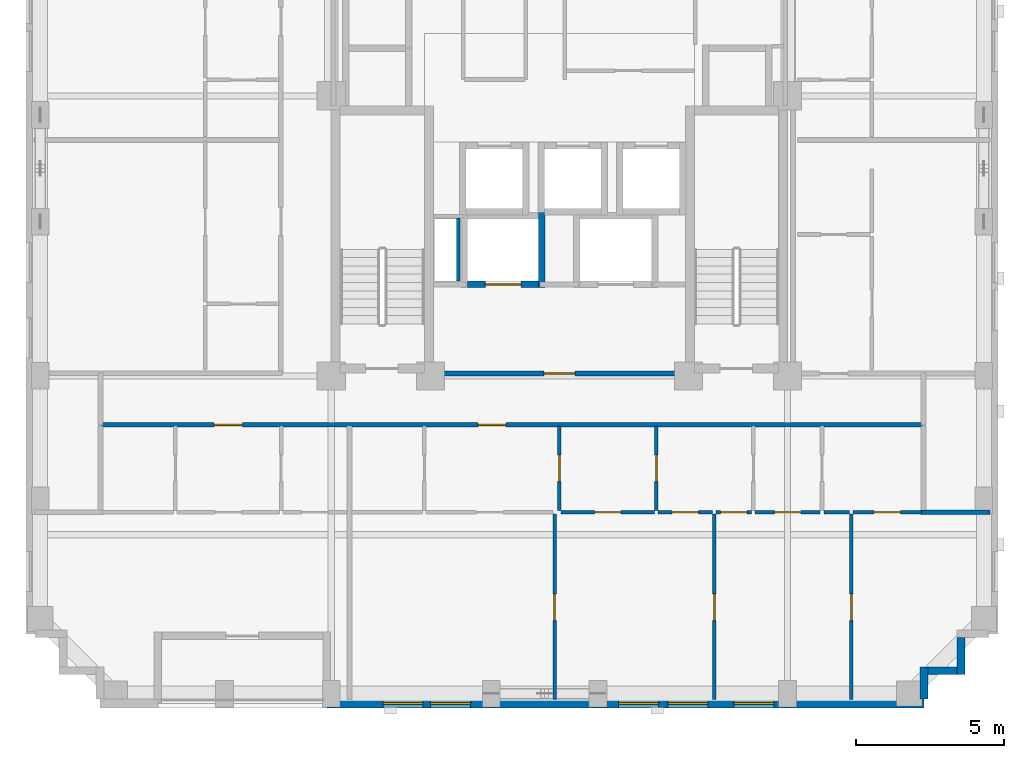
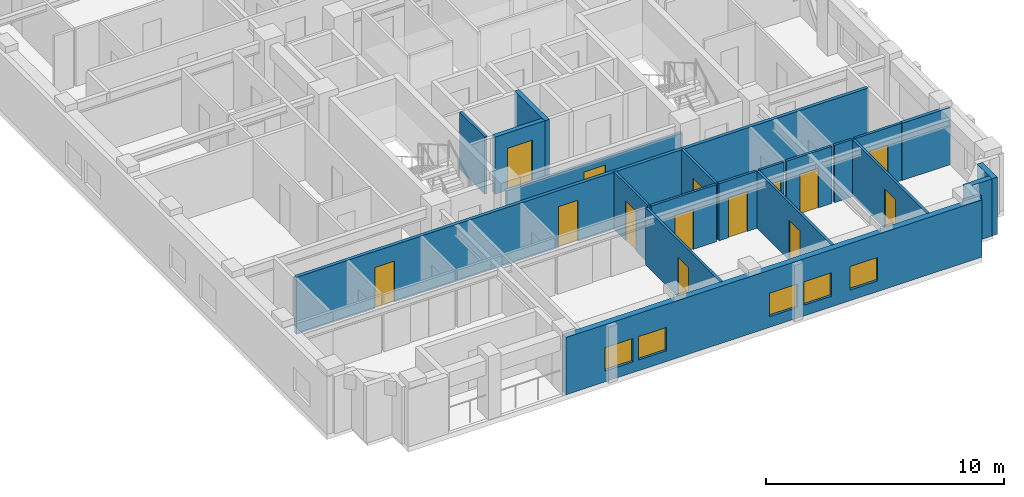
# One storey, part 3 of 11: 21 walls, 14 doors, 5 windows, 19 openings.
"""IFC4 building model written with IfcOpenShell, lengths in metres."""

from ifc_helpers import new_model, si_unit, derived_unit, direction, frame, frame_2d, origin, place, context, subcontext, project, spatial, rectangle, extrude, material, layer, layer_set, type_object, element, fill, save


model = new_model("IFC4")

# Units and contexts
model_context = context("Model", 3, precision=1e-05, world=origin(), true_north=direction((0.0, 1.0)))
body_context = subcontext(model_context, "Body", "Model", "MODEL_VIEW")
ifc_project = project(units=[si_unit("LENGTHUNIT", "METRE"), si_unit("AREAUNIT", "SQUARE_METRE"), si_unit("VOLUMEUNIT", "CUBIC_METRE"), si_unit("PLANEANGLEUNIT", "RADIAN"), si_unit("MASSUNIT", "GRAM", prefix="KILO"), derived_unit("THERMALTRANSMITTANCEUNIT", [(si_unit("MASSUNIT", "GRAM", prefix="KILO"), 1), (si_unit("TIMEUNIT", "SECOND"), -3), (si_unit("THERMODYNAMICTEMPERATUREUNIT", "KELVIN"), -1)])], contexts=[model_context])

# Site, building, storey
site_placement = place(None, origin())
site = spatial("IfcSite", under=ifc_project, at=site_placement, CompositionType="ELEMENT")
building_placement = place(site_placement, origin())
building = spatial("IfcBuilding", under=site, at=building_placement, Name="Korrvale Station Residences", CompositionType="ELEMENT")
storey_placement = place(building_placement, frame((0.0, 0.0, 166.64990234375)))
storey = spatial("IfcBuildingStorey", under=building, at=storey_placement, Name="L48", CompositionType="ELEMENT", Elevation=166.64990234375)

# Walls
ifc_material_1 = material(Name="Precast concrete C45/55", Category="concrete")
ifc_layer_1 = layer(ifc_material_1, 0.260009765625, Name="Precast concrete C45/55")
ifc_layer_set_1 = layer_set([ifc_layer_1], Name="Precast concrete C45/55")
wall_type_1 = type_object("IfcWallType", Name="WAL-EXT-LOG260", PredefinedType="SOLIDWALL", material=ifc_layer_set_1)
wall_1_placement = place(storey_placement, frame((39.050048828125, 6.16796875, 0.0), z_axis=(0.0, 0.0, 1.0), x_axis=(0.0, -1.0, 0.0)))
element("IfcWall", 1, at=wall_1_placement, inside=storey, type_object=wall_type_1, Name="L48 Serrated Corner Precast Step SE-2", PredefinedType="SOLIDWALL", context=body_context, shape_type="SweptSolid", body=[
    extrude(rectangle(XDim=1.248046875, YDim=0.260009765625, at=frame_2d((0.6240234375, 0.0))), origin(), (0.0, 0.0, 1.0), 2.93017578125),
])
wall_2_placement = place(storey_placement, frame((38.91796875, 5.050048828125, 0.0), z_axis=(0.0, 0.0, 1.0), x_axis=(-1.0, 0.0, 0.0)))
element("IfcWall", 2, at=wall_2_placement, inside=storey, type_object=wall_type_1, Name="L48 Serrated Corner Precast Step SE-3", PredefinedType="SOLIDWALL", context=body_context, shape_type="SweptSolid", body=[
    extrude(rectangle(XDim=0.986083984375, YDim=0.260009765625, at=frame_2d((0.4931640625, 0.0))), origin(), (0.0, 0.0, 1.0), 2.93017578125),
])
wall_3_placement = place(storey_placement, frame((37.800048828125, 5.179931640625, 0.0), z_axis=(0.0, 0.0, 1.0), x_axis=(0.0, -1.0, 0.0)))
element("IfcWall", 3, at=wall_3_placement, inside=storey, type_object=wall_type_1, Name="L48 Serrated Corner Precast Step SE-4", PredefinedType="SOLIDWALL", context=body_context, shape_type="SweptSolid", body=[
    extrude(rectangle(XDim=1.077880859375, YDim=0.260009765625, at=frame_2d((0.5390625, 0.0))), origin(), (0.0, 0.0, 1.0), 2.93017578125),
])

# Wall, openings, windows
ifc_layer_2 = layer(ifc_material_1, 0.300048828125, Name="Precast concrete C45/55")
ifc_layer_set_2 = layer_set([ifc_layer_2], Name="Precast concrete C45/55")
wall_type_2 = type_object("IfcWallType", Name="WAL-EXT-PC300", PredefinedType="SOLIDWALL", material=ifc_layer_set_2)
wall_4_placement = place(storey_placement, frame((37.800048828125, 3.949951171875, 0.0), z_axis=(0.0, 0.0, 1.0), x_axis=(-1.0, 0.0, 0.0)))
wall_4 = element("IfcWall", 4, at=wall_4_placement, inside=storey, type_object=wall_type_2, Name="L48 South Exterior Precast Wall 1", PredefinedType="SOLIDWALL", context=body_context, shape_type="SweptSolid", body=[
    extrude(rectangle(XDim=20.150146484375, YDim=0.300048828125, at=frame_2d((10.0751953125, 0.0))), origin(), (0.0, 0.0, 1.0), 2.93017578125),
])
opening_1_placement = place(wall_4_placement, frame((15.300048828125, 0.0, 0.550048828125)))
opening_1 = element("IfcOpeningElement", 5, at=opening_1_placement, cuts=wall_4, Name="Opening W-10", PredefinedType="OPENING", context=body_context, shape_type="SweptSolid", body=[
    extrude(rectangle(XDim=1.35009765625, YDim=1.199951171875, at=frame_2d((0.675048828125, 0.60009765625))), frame((0.0, 0.16015625, 0.0), z_axis=(0.0, -1.0, 0.0), x_axis=(1.0, 0.0, 0.0)), (0.0, 0.0, 1.0), 0.320068359375),
])
opening_2_placement = place(wall_4_placement, frame((16.909912109375, 0.0, 0.550048828125)))
opening_2 = element("IfcOpeningElement", 6, at=opening_2_placement, cuts=wall_4, Name="Opening W-10", PredefinedType="OPENING", context=body_context, shape_type="SweptSolid", body=[
    extrude(rectangle(XDim=1.35009765625, YDim=1.199951171875, at=frame_2d((0.675048828125, 0.60009765625))), frame((0.0, 0.16015625, 0.0), z_axis=(0.0, -1.0, 0.0), x_axis=(1.0, 0.0, 0.0)), (0.0, 0.0, 1.0), 0.320068359375),
])
opening_3_placement = place(wall_4_placement, frame((8.949951171875, 0.0, 0.550048828125)))
opening_3 = element("IfcOpeningElement", 7, at=opening_3_placement, cuts=wall_4, Name="Opening W-10", PredefinedType="OPENING", context=body_context, shape_type="SweptSolid", body=[
    extrude(rectangle(XDim=1.35009765625, YDim=1.199951171875, at=frame_2d((0.675048828125, 0.60009765625))), frame((0.0, 0.16015625, 0.0), z_axis=(0.0, -1.0, 0.0), x_axis=(1.0, 0.0, 0.0)), (0.0, 0.0, 1.0), 0.320068359375),
])
opening_4_placement = place(wall_4_placement, frame((7.2900390625, 0.0, 0.550048828125)))
opening_4 = element("IfcOpeningElement", 8, at=opening_4_placement, cuts=wall_4, Name="Opening W-10", PredefinedType="OPENING", context=body_context, shape_type="SweptSolid", body=[
    extrude(rectangle(XDim=1.35009765625, YDim=1.199951171875, at=frame_2d((0.675048828125, 0.60009765625))), frame((0.0, 0.16015625, 0.0), z_axis=(0.0, -1.0, 0.0), x_axis=(1.0, 0.0, 0.0)), (0.0, 0.0, 1.0), 0.320068359375),
])
opening_5_placement = place(wall_4_placement, frame((5.06005859375, 0.0, 0.550048828125)))
opening_5 = element("IfcOpeningElement", 9, at=opening_5_placement, cuts=wall_4, Name="Opening W-10", PredefinedType="OPENING", context=body_context, shape_type="SweptSolid", body=[
    extrude(rectangle(XDim=1.35009765625, YDim=1.199951171875, at=frame_2d((0.675048828125, 0.60009765625))), frame((0.0, 0.16015625, 0.0), z_axis=(0.0, -1.0, 0.0), x_axis=(1.0, 0.0, 0.0)), (0.0, 0.0, 1.0), 0.320068359375),
])
ifc_material_2 = material(Name="Thermally broken aluminium frame with triple low-e glazing", Category="aluminium")
window_type = type_object("IfcWindowType", Name="WIN-W10", PartitioningType="SINGLE_PANEL", PredefinedType="WINDOW", material=ifc_material_2)
window_1_placement = place(opening_1_placement, origin())
window_1 = element("IfcWindow", 10, at=window_1_placement, inside=storey, type_object=window_type, Name="L48 Punched Window 02", OverallHeight=1.199951171875, OverallWidth=1.35009765625, PartitioningType="SINGLE_PANEL", PredefinedType="WINDOW", context=body_context, shape_type="SweptSolid", body=[
    extrude(rectangle(XDim=1.35009765625, YDim=1.199951171875, at=frame_2d((0.675048828125, 0.60009765625))), frame((0.0, 0.030029296875, 0.0), z_axis=(0.0, -1.0, 0.0), x_axis=(1.0, 0.0, 0.0)), (0.0, 0.0, 1.0), 0.06005859375),
])
fill(opening_1, window_1)
window_2_placement = place(opening_2_placement, origin())
window_2 = element("IfcWindow", 11, at=window_2_placement, inside=storey, type_object=window_type, Name="L48 Punched Window 03", OverallHeight=1.199951171875, OverallWidth=1.35009765625, PartitioningType="SINGLE_PANEL", PredefinedType="WINDOW", context=body_context, shape_type="SweptSolid", body=[
    extrude(rectangle(XDim=1.35009765625, YDim=1.199951171875, at=frame_2d((0.675048828125, 0.60009765625))), frame((0.0, 0.030029296875, 0.0), z_axis=(0.0, -1.0, 0.0), x_axis=(1.0, 0.0, 0.0)), (0.0, 0.0, 1.0), 0.06005859375),
])
fill(opening_2, window_2)
window_3_placement = place(opening_3_placement, origin())
window_3 = element("IfcWindow", 12, at=window_3_placement, inside=storey, type_object=window_type, Name="L48 Punched Window 04", OverallHeight=1.199951171875, OverallWidth=1.35009765625, PartitioningType="SINGLE_PANEL", PredefinedType="WINDOW", context=body_context, shape_type="SweptSolid", body=[
    extrude(rectangle(XDim=1.35009765625, YDim=1.199951171875, at=frame_2d((0.675048828125, 0.60009765625))), frame((0.0, 0.030029296875, 0.0), z_axis=(0.0, -1.0, 0.0), x_axis=(1.0, 0.0, 0.0)), (0.0, 0.0, 1.0), 0.06005859375),
])
fill(opening_3, window_3)
window_4_placement = place(opening_4_placement, origin())
window_4 = element("IfcWindow", 13, at=window_4_placement, inside=storey, type_object=window_type, Name="L48 Punched Window 05", OverallHeight=1.199951171875, OverallWidth=1.35009765625, PartitioningType="SINGLE_PANEL", PredefinedType="WINDOW", context=body_context, shape_type="SweptSolid", body=[
    extrude(rectangle(XDim=1.35009765625, YDim=1.199951171875, at=frame_2d((0.675048828125, 0.60009765625))), frame((0.0, 0.030029296875, 0.0), z_axis=(0.0, -1.0, 0.0), x_axis=(1.0, 0.0, 0.0)), (0.0, 0.0, 1.0), 0.06005859375),
])
fill(opening_4, window_4)
window_5_placement = place(opening_5_placement, origin())
window_5 = element("IfcWindow", 14, at=window_5_placement, inside=storey, type_object=window_type, Name="L48 Punched Window 06", OverallHeight=1.199951171875, OverallWidth=1.35009765625, PartitioningType="SINGLE_PANEL", PredefinedType="WINDOW", context=body_context, shape_type="SweptSolid", body=[
    extrude(rectangle(XDim=1.35009765625, YDim=1.199951171875, at=frame_2d((0.675048828125, 0.60009765625))), frame((0.0, 0.030029296875, 0.0), z_axis=(0.0, -1.0, 0.0), x_axis=(1.0, 0.0, 0.0)), (0.0, 0.0, 1.0), 0.06005859375),
])
fill(opening_5, window_5)

# Wall
ifc_material_3 = material(Name="Acoustic steel-stud gypsum board partition", Category="steel")
ifc_layer_3 = layer(ifc_material_3, 0.1201171875, Name="Acoustic steel-stud gypsum board partition")
ifc_layer_set_3 = layer_set([ifc_layer_3], Name="Acoustic steel-stud gypsum board partition")
wall_type_3 = type_object("IfcWallType", Name="WAL-PART-125", PredefinedType="PARTITIONING", material=ifc_layer_set_3)
wall_5_placement = place(storey_placement, frame((22.080078125, 18.199951171875, 0.0), z_axis=(0.0, 0.0, 1.0), x_axis=(0.0, 1.0, 0.0)))
element("IfcWall", 15, at=wall_5_placement, inside=storey, type_object=wall_type_3, Name="L48 Core Partition CW-RSWT", PredefinedType="PARTITIONING", context=body_context, shape_type="SweptSolid", body=[
    extrude(rectangle(XDim=2.1201171875, YDim=0.1201171875, at=frame_2d((1.06005859375, 0.0))), origin(), (0.0, 0.0, 1.0), 2.93017578125),
])

# Wall, opening, door
wall_6_placement = place(storey_placement, frame((25.5, 10.4599609375, 0.0), z_axis=(0.0, 0.0, 1.0), x_axis=(0.0, 1.0, 0.0)))
wall_6 = element("IfcWall", 16, at=wall_6_placement, inside=storey, type_object=wall_type_3, Name="L48 Suite Partition U02-V12", PredefinedType="PARTITIONING", context=body_context, shape_type="SweptSolid", body=[
    extrude(rectangle(XDim=2.85009765625, YDim=0.1201171875, at=frame_2d((1.425048828125, 0.0))), origin(), (0.0, 0.0, 1.0), 2.93017578125),
])
opening_6_placement = place(wall_6_placement, frame((0.97509765625, 0.0, 0.0)))
opening_6 = element("IfcOpeningElement", 17, at=opening_6_placement, cuts=wall_6, Name="Opening DI-900", PredefinedType="OPENING", context=body_context, shape_type="SweptSolid", body=[
    extrude(rectangle(XDim=0.89990234375, YDim=2.050048828125, at=frame_2d((0.449951171875, 1.02490234375))), frame((0.0, 0.070068359375, 0.0), z_axis=(0.0, -1.0, 0.0), x_axis=(1.0, 0.0, 0.0)), (0.0, 0.0, 1.0), 0.14013671875),
])
ifc_material_4 = material(Name="Painted solid-core timber interior room door", Category="wood")
door_type_1 = type_object("IfcDoorType", Name="DR-INT-900", OperationType="NOTDEFINED", PredefinedType="DOOR", material=ifc_material_4)
door_1_placement = place(opening_6_placement, origin())
door_1 = element("IfcDoor", 18, at=door_1_placement, inside=storey, type_object=door_type_1, Name="L48 Apartment 2BR L48-U02 Kitchen Door", OperationType="SINGLE_SWING_LEFT", OverallHeight=2.050048828125, OverallWidth=0.89990234375, PredefinedType="DOOR", context=body_context, shape_type="SweptSolid", body=[
    extrude(rectangle(XDim=0.89990234375, YDim=2.050048828125, at=frame_2d((0.449951171875, 1.02490234375))), frame((0.0, 0.02490234375, 0.0), z_axis=(0.0, -1.0, 0.0), x_axis=(1.0, 0.0, 0.0)), (0.0, 0.0, 1.0), 0.050048828125),
])
fill(opening_6, door_1)

wall_7_placement = place(storey_placement, frame((28.77001953125, 10.4599609375, 0.0), z_axis=(0.0, 0.0, 1.0), x_axis=(0.0, 1.0, 0.0)))
wall_7 = element("IfcWall", 19, at=wall_7_placement, inside=storey, type_object=wall_type_3, Name="L48 Suite Partition U02-V23", PredefinedType="PARTITIONING", context=body_context, shape_type="SweptSolid", body=[
    extrude(rectangle(XDim=2.85009765625, YDim=0.1201171875, at=frame_2d((1.425048828125, 0.0))), origin(), (0.0, 0.0, 1.0), 2.93017578125),
])
opening_7_placement = place(wall_7_placement, frame((0.97509765625, 0.0, 0.0)))
opening_7 = element("IfcOpeningElement", 20, at=opening_7_placement, cuts=wall_7, Name="Opening DI-900", PredefinedType="OPENING", context=body_context, shape_type="SweptSolid", body=[
    extrude(rectangle(XDim=0.89990234375, YDim=2.050048828125, at=frame_2d((0.449951171875, 1.02490234375))), frame((0.0, 0.070068359375, 0.0), z_axis=(0.0, -1.0, 0.0), x_axis=(1.0, 0.0, 0.0)), (0.0, 0.0, 1.0), 0.14013671875),
])
door_2_placement = place(opening_7_placement, origin())
door_2 = element("IfcDoor", 21, at=door_2_placement, inside=storey, type_object=door_type_1, Name="L48 Apartment 2BR L48-U02 Home Study Room Door", OperationType="SINGLE_SWING_LEFT", OverallHeight=2.050048828125, OverallWidth=0.89990234375, PredefinedType="DOOR", context=body_context, shape_type="SweptSolid", body=[
    extrude(rectangle(XDim=0.89990234375, YDim=2.050048828125, at=frame_2d((0.449951171875, 1.02490234375))), frame((0.0, 0.02490234375, 0.0), z_axis=(0.0, -1.0, 0.0), x_axis=(1.0, 0.0, 0.0)), (0.0, 0.0, 1.0), 0.050048828125),
])
fill(opening_7, door_2)

wall_8_placement = place(storey_placement, frame((25.56005859375, 10.39990234375, 0.0), z_axis=(0.0, 0.0, 1.0), x_axis=(1.0, 0.0, 0.0)))
wall_8 = element("IfcWall", 22, at=wall_8_placement, inside=storey, type_object=wall_type_3, Name="L48 Suite Partition U02-H27", PredefinedType="PARTITIONING", context=body_context, shape_type="SweptSolid", body=[
    extrude(rectangle(XDim=3.14990234375, YDim=0.1201171875, at=frame_2d((1.574951171875, 0.0))), origin(), (0.0, 0.0, 1.0), 2.93017578125),
])
opening_8_placement = place(wall_8_placement, frame((1.125, 0.0, 0.0)))
opening_8 = element("IfcOpeningElement", 23, at=opening_8_placement, cuts=wall_8, Name="Opening DI-900", PredefinedType="OPENING", context=body_context, shape_type="SweptSolid", body=[
    extrude(rectangle(XDim=0.89990234375, YDim=2.050048828125, at=frame_2d((0.449951171875, 1.02490234375))), frame((0.0, 0.070068359375, 0.0), z_axis=(0.0, -1.0, 0.0), x_axis=(1.0, 0.0, 0.0)), (0.0, 0.0, 1.0), 0.14013671875),
])
door_3_placement = place(opening_8_placement, origin())
door_3 = element("IfcDoor", 24, at=door_3_placement, inside=storey, type_object=door_type_1, Name="L48 Apartment 2BR L48-U02 Home Study Room Door", OperationType="SINGLE_SWING_RIGHT", OverallHeight=2.050048828125, OverallWidth=0.89990234375, PredefinedType="DOOR", context=body_context, shape_type="SweptSolid", body=[
    extrude(rectangle(XDim=0.89990234375, YDim=2.050048828125, at=frame_2d((0.449951171875, 1.02490234375))), frame((0.0, 0.02490234375, 0.0), z_axis=(0.0, -1.0, 0.0), x_axis=(1.0, 0.0, 0.0)), (0.0, 0.0, 1.0), 0.050048828125),
])
fill(opening_8, door_3)

wall_9_placement = place(storey_placement, frame((28.830078125, 10.39990234375, 0.0), z_axis=(0.0, 0.0, 1.0), x_axis=(1.0, 0.0, 0.0)))
wall_9 = element("IfcWall", 25, at=wall_9_placement, inside=storey, type_object=wall_type_3, Name="L48 Suite Partition U02-H37", PredefinedType="PARTITIONING", context=body_context, shape_type="SweptSolid", body=[
    extrude(rectangle(XDim=1.83984375, YDim=0.1201171875, at=frame_2d((0.919921875, 0.0))), origin(), (0.0, 0.0, 1.0), 2.93017578125),
])
opening_9_placement = place(wall_9_placement, frame((0.469970703125, 0.0, 0.0)))
opening_9 = element("IfcOpeningElement", 26, at=opening_9_placement, cuts=wall_9, Name="Opening DI-900", PredefinedType="OPENING", context=body_context, shape_type="SweptSolid", body=[
    extrude(rectangle(XDim=0.89990234375, YDim=2.050048828125, at=frame_2d((0.449951171875, 1.02490234375))), frame((0.0, 0.070068359375, 0.0), z_axis=(0.0, -1.0, 0.0), x_axis=(1.0, 0.0, 0.0)), (0.0, 0.0, 1.0), 0.14013671875),
])
door_4_placement = place(opening_9_placement, origin())
door_4 = element("IfcDoor", 27, at=door_4_placement, inside=storey, type_object=door_type_1, Name="L48 Apartment 2BR L48-U02 Home Study Room Door", OperationType="SINGLE_SWING_RIGHT", OverallHeight=2.050048828125, OverallWidth=0.89990234375, PredefinedType="DOOR", context=body_context, shape_type="SweptSolid", body=[
    extrude(rectangle(XDim=0.89990234375, YDim=2.050048828125, at=frame_2d((0.449951171875, 1.02490234375))), frame((0.0, 0.02490234375, 0.0), z_axis=(0.0, -1.0, 0.0), x_axis=(1.0, 0.0, 0.0)), (0.0, 0.0, 1.0), 0.050048828125),
])
fill(opening_9, door_4)

wall_10_placement = place(storey_placement, frame((30.7900390625, 10.39990234375, 0.0), z_axis=(0.0, 0.0, 1.0), x_axis=(1.0, 0.0, 0.0)))
wall_10 = element("IfcWall", 28, at=wall_10_placement, inside=storey, type_object=wall_type_3, Name="L48 Suite Partition U02-H38", PredefinedType="PARTITIONING", context=body_context, shape_type="SweptSolid", body=[
    extrude(rectangle(XDim=1.18994140625, YDim=0.1201171875, at=frame_2d((0.594970703125, 0.0))), origin(), (0.0, 0.0, 1.0), 2.93017578125),
])
opening_10_placement = place(wall_10_placement, frame((0.14501953125, 0.0, 0.0)))
opening_10 = element("IfcOpeningElement", 29, at=opening_10_placement, cuts=wall_10, Name="Opening DI-900", PredefinedType="OPENING", context=body_context, shape_type="SweptSolid", body=[
    extrude(rectangle(XDim=0.89990234375, YDim=2.050048828125, at=frame_2d((0.449951171875, 1.02490234375))), frame((0.0, 0.070068359375, 0.0), z_axis=(0.0, -1.0, 0.0), x_axis=(1.0, 0.0, 0.0)), (0.0, 0.0, 1.0), 0.14013671875),
])
door_5_placement = place(opening_10_placement, origin())
door_5 = element("IfcDoor", 30, at=door_5_placement, inside=storey, type_object=door_type_1, Name="L48 Apartment 2BR L48-U02 Home Study Room Door", OperationType="SINGLE_SWING_LEFT", OverallHeight=2.050048828125, OverallWidth=0.89990234375, PredefinedType="DOOR", context=body_context, shape_type="SweptSolid", body=[
    extrude(rectangle(XDim=0.89990234375, YDim=2.050048828125, at=frame_2d((0.449951171875, 1.02490234375))), frame((0.0, 0.02490234375, 0.0), z_axis=(0.0, -1.0, 0.0), x_axis=(1.0, 0.0, 0.0)), (0.0, 0.0, 1.0), 0.050048828125),
])
fill(opening_10, door_5)

wall_11_placement = place(storey_placement, frame((32.10009765625, 10.39990234375, 0.0), z_axis=(0.0, 0.0, 1.0), x_axis=(1.0, 0.0, 0.0)))
wall_11 = element("IfcWall", 31, at=wall_11_placement, inside=storey, type_object=wall_type_3, Name="L48 Suite Partition U02-H48", PredefinedType="PARTITIONING", context=body_context, shape_type="SweptSolid", body=[
    extrude(rectangle(XDim=2.199951171875, YDim=0.1201171875, at=frame_2d((1.10009765625, 0.0))), origin(), (0.0, 0.0, 1.0), 2.93017578125),
])
opening_11_placement = place(wall_11_placement, frame((0.64990234375, 0.0, 0.0)))
opening_11 = element("IfcOpeningElement", 32, at=opening_11_placement, cuts=wall_11, Name="Opening DI-900", PredefinedType="OPENING", context=body_context, shape_type="SweptSolid", body=[
    extrude(rectangle(XDim=0.89990234375, YDim=2.050048828125, at=frame_2d((0.449951171875, 1.02490234375))), frame((0.0, 0.070068359375, 0.0), z_axis=(0.0, -1.0, 0.0), x_axis=(1.0, 0.0, 0.0)), (0.0, 0.0, 1.0), 0.14013671875),
])
door_6_placement = place(opening_11_placement, origin())
door_6 = element("IfcDoor", 33, at=door_6_placement, inside=storey, type_object=door_type_1, Name="L48 Apartment 2BR L48-U02 Wardrobe Storage Room Door", OperationType="SINGLE_SWING_LEFT", OverallHeight=2.050048828125, OverallWidth=0.89990234375, PredefinedType="DOOR", context=body_context, shape_type="SweptSolid", body=[
    extrude(rectangle(XDim=0.89990234375, YDim=2.050048828125, at=frame_2d((0.449951171875, 1.02490234375))), frame((0.0, 0.02490234375, 0.0), z_axis=(0.0, -1.0, 0.0), x_axis=(1.0, 0.0, 0.0)), (0.0, 0.0, 1.0), 0.050048828125),
])
fill(opening_11, door_6)

# Wall
wall_12_placement = place(storey_placement, frame((34.419921875, 10.39990234375, 0.0), z_axis=(0.0, 0.0, 1.0), x_axis=(1.0, 0.0, 0.0)))
element("IfcWall", 34, at=wall_12_placement, inside=storey, type_object=wall_type_3, Name="L48 Suite Partition U02-H58", PredefinedType="PARTITIONING", context=body_context, shape_type="SweptSolid", body=[
    extrude(rectangle(XDim=0.8701171875, YDim=0.1201171875, at=frame_2d((0.43505859375, 0.0))), origin(), (0.0, 0.0, 1.0), 2.93017578125),
])

# Wall, opening, door
wall_13_placement = place(storey_placement, frame((35.409912109375, 10.39990234375, 0.0), z_axis=(0.0, 0.0, 1.0), x_axis=(1.0, 0.0, 0.0)))
wall_13 = element("IfcWall", 35, at=wall_13_placement, inside=storey, type_object=wall_type_3, Name="L48 Suite Partition U02-H59", PredefinedType="PARTITIONING", context=body_context, shape_type="SweptSolid", body=[
    extrude(rectangle(XDim=2.31005859375, YDim=0.1201171875, at=frame_2d((1.155029296875, 0.0))), origin(), (0.0, 0.0, 1.0), 2.93017578125),
])
opening_12_placement = place(wall_13_placement, frame((0.705078125, 0.0, 0.0)))
opening_12 = element("IfcOpeningElement", 36, at=opening_12_placement, cuts=wall_13, Name="Opening DI-900", PredefinedType="OPENING", context=body_context, shape_type="SweptSolid", body=[
    extrude(rectangle(XDim=0.89990234375, YDim=2.050048828125, at=frame_2d((0.449951171875, 1.02490234375))), frame((0.0, 0.070068359375, 0.0), z_axis=(0.0, -1.0, 0.0), x_axis=(1.0, 0.0, 0.0)), (0.0, 0.0, 1.0), 0.14013671875),
])
door_7_placement = place(opening_12_placement, origin())
door_7 = element("IfcDoor", 37, at=door_7_placement, inside=storey, type_object=door_type_1, Name="L48 Apartment 2BR L48-U02 Wardrobe Storage Room Door", OperationType="SINGLE_SWING_RIGHT", OverallHeight=2.050048828125, OverallWidth=0.89990234375, PredefinedType="DOOR", context=body_context, shape_type="SweptSolid", body=[
    extrude(rectangle(XDim=0.89990234375, YDim=2.050048828125, at=frame_2d((0.449951171875, 1.02490234375))), frame((0.0, 0.02490234375, 0.0), z_axis=(0.0, -1.0, 0.0), x_axis=(1.0, 0.0, 0.0)), (0.0, 0.0, 1.0), 0.050048828125),
])
fill(opening_12, door_7)

wall_14_placement = place(storey_placement, frame((25.340087890625, 4.080078125, 0.0), z_axis=(0.0, 0.0, 1.0), x_axis=(0.0, 1.0, 0.0)))
wall_14 = element("IfcWall", 38, at=wall_14_placement, inside=storey, type_object=wall_type_3, Name="L48 Suite Partition U02-V67", PredefinedType="PARTITIONING", context=body_context, shape_type="SweptSolid", body=[
    extrude(rectangle(XDim=6.260009765625, YDim=0.1201171875, at=frame_2d((3.1298828125, 0.0))), origin(), (0.0, 0.0, 1.0), 2.93017578125),
])
opening_13_placement = place(wall_14_placement, frame((2.6650390625, 0.0, 0.0)))
opening_13 = element("IfcOpeningElement", 39, at=opening_13_placement, cuts=wall_14, Name="Opening DI-900", PredefinedType="OPENING", context=body_context, shape_type="SweptSolid", body=[
    extrude(rectangle(XDim=0.89990234375, YDim=2.050048828125, at=frame_2d((0.449951171875, 1.02490234375))), frame((0.0, 0.070068359375, 0.0), z_axis=(0.0, -1.0, 0.0), x_axis=(1.0, 0.0, 0.0)), (0.0, 0.0, 1.0), 0.14013671875),
])
door_8_placement = place(opening_13_placement, origin())
door_8 = element("IfcDoor", 40, at=door_8_placement, inside=storey, type_object=door_type_1, Name="L48 Apartment 2BR L48-U02 Living and Dining Room Door", OperationType="SINGLE_SWING_LEFT", OverallHeight=2.050048828125, OverallWidth=0.89990234375, PredefinedType="DOOR", context=body_context, shape_type="SweptSolid", body=[
    extrude(rectangle(XDim=0.89990234375, YDim=2.050048828125, at=frame_2d((0.449951171875, 1.02490234375))), frame((0.0, 0.02490234375, 0.0), z_axis=(0.0, -1.0, 0.0), x_axis=(1.0, 0.0, 0.0)), (0.0, 0.0, 1.0), 0.050048828125),
])
fill(opening_13, door_8)

wall_15_placement = place(storey_placement, frame((30.72998046875, 4.080078125, 0.0), z_axis=(0.0, 0.0, 1.0), x_axis=(0.0, 1.0, 0.0)))
wall_15 = element("IfcWall", 41, at=wall_15_placement, inside=storey, type_object=wall_type_3, Name="L48 Suite Partition U02-V78", PredefinedType="PARTITIONING", context=body_context, shape_type="SweptSolid", body=[
    extrude(rectangle(XDim=6.260009765625, YDim=0.1201171875, at=frame_2d((3.1298828125, 0.0))), origin(), (0.0, 0.0, 1.0), 2.93017578125),
])
opening_14_placement = place(wall_15_placement, frame((2.6650390625, 0.0, 0.0)))
opening_14 = element("IfcOpeningElement", 42, at=opening_14_placement, cuts=wall_15, Name="Opening DI-900", PredefinedType="OPENING", context=body_context, shape_type="SweptSolid", body=[
    extrude(rectangle(XDim=0.89990234375, YDim=2.050048828125, at=frame_2d((0.449951171875, 1.02490234375))), frame((0.0, 0.070068359375, 0.0), z_axis=(0.0, -1.0, 0.0), x_axis=(1.0, 0.0, 0.0)), (0.0, 0.0, 1.0), 0.14013671875),
])
door_9_placement = place(opening_14_placement, origin())
door_9 = element("IfcDoor", 43, at=door_9_placement, inside=storey, type_object=door_type_1, Name="L48 Apartment 2BR L48-U02 Formal Dining Room Door", OperationType="SINGLE_SWING_RIGHT", OverallHeight=2.050048828125, OverallWidth=0.89990234375, PredefinedType="DOOR", context=body_context, shape_type="SweptSolid", body=[
    extrude(rectangle(XDim=0.89990234375, YDim=2.050048828125, at=frame_2d((0.449951171875, 1.02490234375))), frame((0.0, 0.02490234375, 0.0), z_axis=(0.0, -1.0, 0.0), x_axis=(1.0, 0.0, 0.0)), (0.0, 0.0, 1.0), 0.050048828125),
])
fill(opening_14, door_9)

wall_16_placement = place(storey_placement, frame((35.35009765625, 4.080078125, 0.0), z_axis=(0.0, 0.0, 1.0), x_axis=(0.0, 1.0, 0.0)))
wall_16 = element("IfcWall", 44, at=wall_16_placement, inside=storey, type_object=wall_type_3, Name="L48 Suite Partition U02-V89", PredefinedType="PARTITIONING", context=body_context, shape_type="SweptSolid", body=[
    extrude(rectangle(XDim=6.260009765625, YDim=0.1201171875, at=frame_2d((3.1298828125, 0.0))), origin(), (0.0, 0.0, 1.0), 2.93017578125),
])
opening_15_placement = place(wall_16_placement, frame((2.6650390625, 0.0, 0.0)))
opening_15 = element("IfcOpeningElement", 45, at=opening_15_placement, cuts=wall_16, Name="Opening DI-900", PredefinedType="OPENING", context=body_context, shape_type="SweptSolid", body=[
    extrude(rectangle(XDim=0.89990234375, YDim=2.050048828125, at=frame_2d((0.449951171875, 1.02490234375))), frame((0.0, 0.070068359375, 0.0), z_axis=(0.0, -1.0, 0.0), x_axis=(1.0, 0.0, 0.0)), (0.0, 0.0, 1.0), 0.14013671875),
])
door_10_placement = place(opening_15_placement, origin())
door_10 = element("IfcDoor", 46, at=door_10_placement, inside=storey, type_object=door_type_1, Name="L48 Apartment 2BR L48-U02 Bedroom 1 Door", OperationType="SINGLE_SWING_LEFT", OverallHeight=2.050048828125, OverallWidth=0.89990234375, PredefinedType="DOOR", context=body_context, shape_type="SweptSolid", body=[
    extrude(rectangle(XDim=0.89990234375, YDim=2.050048828125, at=frame_2d((0.449951171875, 1.02490234375))), frame((0.0, 0.02490234375, 0.0), z_axis=(0.0, -1.0, 0.0), x_axis=(1.0, 0.0, 0.0)), (0.0, 0.0, 1.0), 0.050048828125),
])
fill(opening_15, door_10)

ifc_material_5 = material(Name="Fire-rated twin-stud gypsum and mineral wool shaftwall assembly", Category="gypsum")
ifc_layer_4 = layer(ifc_material_5, 0.159912109375, Name="Fire-rated twin-stud gypsum and mineral wool shaftwall assembly")
ifc_layer_set_4 = layer_set([ifc_layer_4], Name="Fire-rated twin-stud gypsum and mineral wool shaftwall assembly")
wall_type_4 = type_object("IfcWallType", Name="WAL-PART-200", PredefinedType="PARTITIONING", material=ifc_layer_set_4)
wall_17_placement = place(storey_placement, frame((21.25, 15.080078125, 0.0), z_axis=(0.0, 0.0, 1.0), x_axis=(1.0, 0.0, 0.0)))
wall_17 = element("IfcWall", 47, at=wall_17_placement, inside=storey, type_object=wall_type_4, Name="L48 Core Partition CW-FFL-S", PredefinedType="PARTITIONING", context=body_context, shape_type="SweptSolid", body=[
    extrude(rectangle(XDim=8.5, YDim=0.159912109375, at=frame_2d((4.25, 0.0))), origin(), (0.0, 0.0, 1.0), 2.382080078125),
])
opening_16_placement = place(wall_17_placement, frame((3.72509765625, 0.0, 0.0)))
opening_16 = element("IfcOpeningElement", 48, at=opening_16_placement, cuts=wall_17, Name="Opening FD-1050", PredefinedType="OPENING", context=body_context, shape_type="SweptSolid", body=[
    extrude(rectangle(XDim=1.050048828125, YDim=2.050048828125, at=frame_2d((0.52490234375, 1.02490234375))), frame((0.0, 0.08984375, 0.0), z_axis=(0.0, -1.0, 0.0), x_axis=(1.0, 0.0, 0.0)), (0.0, 0.0, 1.0), 0.179931640625),
])
ifc_material_6 = material(Name="Fire-rated mineral-core timber lobby door", Category="wood")
door_type_2 = type_object("IfcDoorType", Name="DR-CORE-1050", OperationType="NOTDEFINED", PredefinedType="DOOR", material=ifc_material_6)
door_11_placement = place(opening_16_placement, origin())
door_11 = element("IfcDoor", 49, at=door_11_placement, inside=storey, type_object=door_type_2, Name="L48 Firefighting Lobby Entry Door", OperationType="SINGLE_SWING_RIGHT", OverallHeight=2.050048828125, OverallWidth=1.050048828125, PredefinedType="DOOR", context=body_context, shape_type="SweptSolid", body=[
    extrude(rectangle(XDim=1.050048828125, YDim=2.050048828125, at=frame_2d((0.52490234375, 1.02490234375))), frame((0.0, 0.02490234375, 0.0), z_axis=(0.0, -1.0, 0.0), x_axis=(1.0, 0.0, 0.0)), (0.0, 0.0, 1.0), 0.050048828125),
])
fill(opening_16, door_11)

# Wall
wall_18_placement = place(storey_placement, frame((37.679931640625, 10.39990234375, 0.0), z_axis=(0.0, 0.0, 1.0), x_axis=(1.0, 0.0, 0.0)))
element("IfcWall", 50, at=wall_18_placement, inside=storey, type_object=wall_type_4, Name="L48 Corner Step Wall U02-R", PredefinedType="PARTITIONING", context=body_context, shape_type="SweptSolid", body=[
    extrude(rectangle(XDim=2.340087890625, YDim=0.159912109375, at=frame_2d((1.169921875, 0.0))), origin(), (0.0, 0.0, 1.0), 2.93017578125),
])

# Wall, openings, doors
wall_19_placement = place(storey_placement, frame((10.050048828125, 13.35009765625, 0.0), z_axis=(0.0, 0.0, 1.0), x_axis=(1.0, 0.0, 0.0)))
wall_19 = element("IfcWall", 51, at=wall_19_placement, inside=storey, type_object=wall_type_4, Name="L48 Rated Corridor Wall S", PredefinedType="PARTITIONING", context=body_context, shape_type="SweptSolid", body=[
    extrude(rectangle(XDim=27.699951171875, YDim=0.159912109375, at=frame_2d((13.85009765625, 0.0))), origin(), (0.0, 0.0, 1.0), 2.93017578125),
])
opening_17_placement = place(wall_19_placement, frame((3.800048828125, 0.0, 0.0)))
opening_17 = element("IfcOpeningElement", 52, at=opening_17_placement, cuts=wall_19, Name="Opening UD-950", PredefinedType="OPENING", context=body_context, shape_type="SweptSolid", body=[
    extrude(rectangle(XDim=0.949951171875, YDim=2.10009765625, at=frame_2d((0.47509765625, 1.050048828125))), frame((0.0, 0.08984375, 0.0), z_axis=(0.0, -1.0, 0.0), x_axis=(1.0, 0.0, 0.0)), (0.0, 0.0, 1.0), 0.179931640625),
])
opening_18_placement = place(wall_19_placement, frame((12.695068359375, 0.0, 0.0)))
opening_18 = element("IfcOpeningElement", 53, at=opening_18_placement, cuts=wall_19, Name="Opening UD-950", PredefinedType="OPENING", context=body_context, shape_type="SweptSolid", body=[
    extrude(rectangle(XDim=0.949951171875, YDim=2.10009765625, at=frame_2d((0.47509765625, 1.050048828125))), frame((0.0, 0.08984375, 0.0), z_axis=(0.0, -1.0, 0.0), x_axis=(1.0, 0.0, 0.0)), (0.0, 0.0, 1.0), 0.179931640625),
])
ifc_material_7 = material(Name="Solid-core acoustic oak apartment entrance door", Category="timber")
door_type_3 = type_object("IfcDoorType", Name="DR-UNIT-950", OperationType="NOTDEFINED", PredefinedType="DOOR", material=ifc_material_7)
door_12_placement = place(opening_17_placement, origin())
door_12 = element("IfcDoor", 54, at=door_12_placement, inside=storey, type_object=door_type_3, Name="L48 Apartment L48-U01 Entrance Door", OperationType="SINGLE_SWING_LEFT", OverallHeight=2.10009765625, OverallWidth=0.949951171875, PredefinedType="DOOR", context=body_context, shape_type="SweptSolid", body=[
    extrude(rectangle(XDim=0.949951171875, YDim=2.10009765625, at=frame_2d((0.47509765625, 1.050048828125))), frame((0.0, 0.02490234375, 0.0), z_axis=(0.0, -1.0, 0.0), x_axis=(1.0, 0.0, 0.0)), (0.0, 0.0, 1.0), 0.050048828125),
])
fill(opening_17, door_12)
door_13_placement = place(opening_18_placement, origin())
door_13 = element("IfcDoor", 55, at=door_13_placement, inside=storey, type_object=door_type_3, Name="L48 Apartment L48-U02 Entrance Door", OperationType="SINGLE_SWING_RIGHT", OverallHeight=2.10009765625, OverallWidth=0.949951171875, PredefinedType="DOOR", context=body_context, shape_type="SweptSolid", body=[
    extrude(rectangle(XDim=0.949951171875, YDim=2.10009765625, at=frame_2d((0.47509765625, 1.050048828125))), frame((0.0, 0.02490234375, 0.0), z_axis=(0.0, -1.0, 0.0), x_axis=(1.0, 0.0, 0.0)), (0.0, 0.0, 1.0), 0.050048828125),
])
fill(opening_18, door_13)

# Wall, opening, door
ifc_material_8 = material(Name="Concrete C60/75", Category="concrete")
ifc_layer_5 = layer(ifc_material_8, 0.219970703125, Name="Concrete C60/75")
ifc_layer_set_5 = layer_set([ifc_layer_5], Name="Concrete C60/75")
wall_type_5 = type_object("IfcWallType", Name="WAL-SHAFT-220-C60", PredefinedType="SHEAR", material=ifc_layer_set_5)
wall_20_placement = place(storey_placement, frame((22.39990234375, 18.090087890625, 0.0), z_axis=(0.0, 0.0, 1.0), x_axis=(1.0, 0.0, 0.0)))
wall_20 = element("IfcWall", 56, at=wall_20_placement, inside=storey, type_object=wall_type_5, Name="L48 Elevator FFL-1 Hoistway Wall South", PredefinedType="SHEAR", context=body_context, shape_type="SweptSolid", body=[
    extrude(rectangle(XDim=2.400146484375, YDim=0.219970703125, at=frame_2d((1.2001953125, 0.0))), origin(), (0.0, 0.0, 1.0), 2.93017578125),
])
opening_19_placement = place(wall_20_placement, frame((0.60009765625, 0.0, 0.0)))
opening_19 = element("IfcOpeningElement", 57, at=opening_19_placement, cuts=wall_20, Name="Opening LD-FF1200", PredefinedType="OPENING", context=body_context, shape_type="SweptSolid", body=[
    extrude(rectangle(XDim=1.199951171875, YDim=2.14990234375, at=frame_2d((0.60009765625, 1.074951171875))), frame((0.0, 0.1201171875, 0.0), z_axis=(0.0, -1.0, 0.0), x_axis=(1.0, 0.0, 0.0)), (0.0, 0.0, 1.0), 0.239990234375),
])
ifc_material_9 = material(Name="Stainless-steel firefighter elevator landing sliding door", Category="steel")
door_type_4 = type_object("IfcDoorType", Name="DR-LIFT-FF1200", OperationType="SLIDING_TO_LEFT", PredefinedType="DOOR", material=ifc_material_9)
door_14_placement = place(opening_19_placement, origin())
door_14 = element("IfcDoor", 58, at=door_14_placement, inside=storey, type_object=door_type_4, Name="L48 Elevator FFL-1 Sliding Landing Door", OperationType="SLIDING_TO_LEFT", OverallHeight=2.14990234375, OverallWidth=1.199951171875, PredefinedType="DOOR", context=body_context, shape_type="SweptSolid", body=[
    extrude(rectangle(XDim=1.199951171875, YDim=2.14990234375, at=frame_2d((0.60009765625, 1.074951171875))), frame((0.0, 0.02490234375, 0.0), z_axis=(0.0, -1.0, 0.0), x_axis=(1.0, 0.0, 0.0)), (0.0, 0.0, 1.0), 0.050048828125),
])
fill(opening_19, door_14)

# Wall
wall_21_placement = place(storey_placement, frame((24.909912109375, 17.97998046875, 0.0), z_axis=(0.0, 0.0, 1.0), x_axis=(0.0, 1.0, 0.0)))
element("IfcWall", 59, at=wall_21_placement, inside=storey, type_object=wall_type_5, Name="L48 Elevator FFL-1 Hoistway Wall East", PredefinedType="SHEAR", context=body_context, shape_type="SweptSolid", body=[
    extrude(rectangle(XDim=2.5400390625, YDim=0.219970703125, at=frame_2d((1.27001953125, 0.0))), origin(), (0.0, 0.0, 1.0), 2.93017578125),
])

save(model, "model.ifc")
